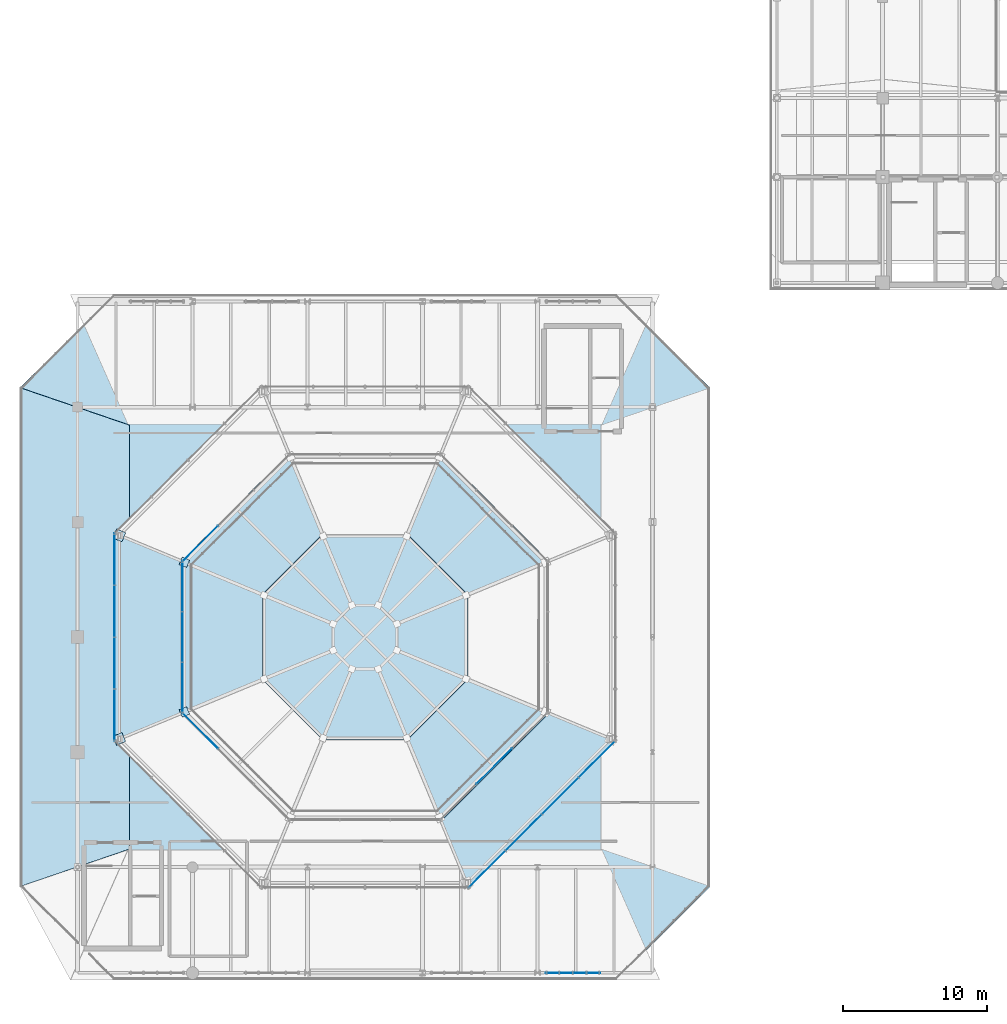
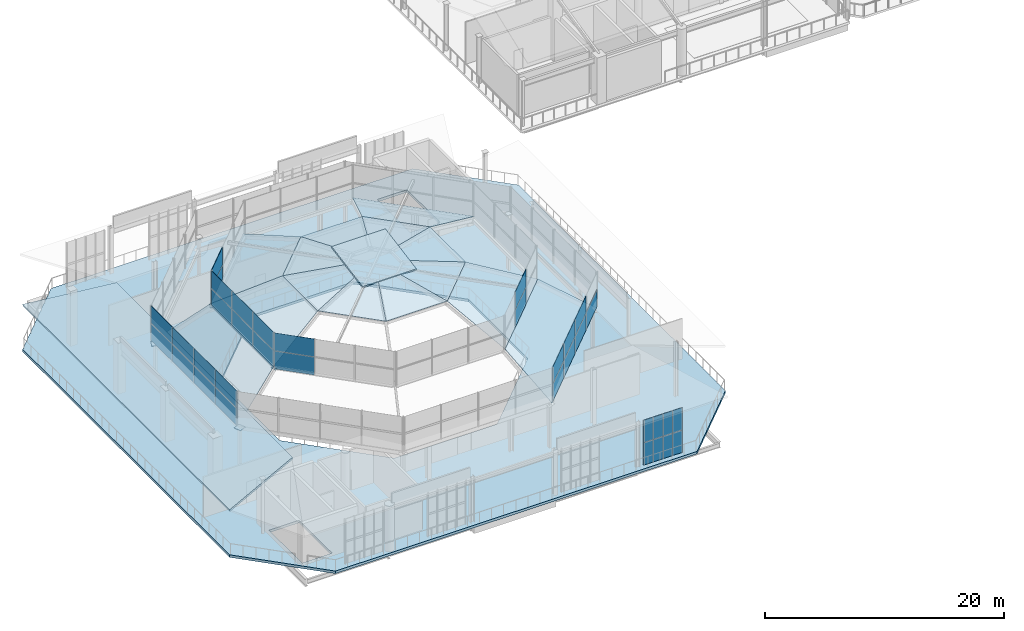
# One storey, part 20 of 30: 53 plates, 3 slabs, 7 elements without a shape of their own.
"""IFC4 building model written with IfcOpenShell, lengths in metres."""

from ifc_helpers import new_model, si_unit, direction, frame, origin, origin_2d, place, context, subcontext, project, spatial, polyline, rectangle, outline, extrude, material, layer, layer_set, type_object, element, aggregate, save


model = new_model("IFC4")

# Units and contexts
model_context = context("Model", 3, precision=1e-05, world=origin(), true_north=direction((0.0, 1.0)))
body_context = subcontext(model_context, "Body", "Model", "MODEL_VIEW")
ifc_project = project(units=[si_unit("LENGTHUNIT", "METRE"), si_unit("AREAUNIT", "SQUARE_METRE"), si_unit("VOLUMEUNIT", "CUBIC_METRE"), si_unit("PLANEANGLEUNIT", "RADIAN"), si_unit("MASSUNIT", "GRAM", prefix="KILO")], contexts=[model_context])

# Site, building, storey
site_placement = place(None, origin())
site = spatial("IfcSite", under=ifc_project, at=site_placement, CompositionType="ELEMENT")
building_placement = place(site_placement, origin())
building = spatial("IfcBuilding", under=site, at=building_placement, Name="Brisemont Oceanarium", CompositionType="ELEMENT")
storey_placement = place(building_placement, frame((0.0, 0.0, 19.800048828125)))
storey = spatial("IfcBuildingStorey", under=building, at=storey_placement, Name="L04", CompositionType="ELEMENT", Elevation=19.800048828125)

# Curtain wall, plates
ifc_material_1 = material(Name="Anodized Extruded Aluminum 6063-T6", Category="aluminium")
curtain_wall_type_1 = type_object("IfcCurtainWallType", Name="CW-CLR-48X34", PredefinedType="NOTDEFINED", material=ifc_material_1)
curtain_wall_1_placement = place(storey_placement, origin())
curtain_wall_1 = element("IfcCurtainWall", 1, at=curtain_wall_1_placement, inside=storey, type_object=curtain_wall_type_1, Name="CW-22 curtain wall CW-DOME-UP-3", PredefinedType="NOTDEFINED")
ifc_material_2 = material(Name="Ceramic-Fritted Spandrel Glass", Category="glass")
ifc_layer_1 = layer(ifc_material_2, 0.030029296875)
ifc_layer_set_1 = layer_set([ifc_layer_1], Name="Ceramic-Fritted Spandrel Glass")
plate_type_1 = type_object("IfcPlateType", Name="PLT-CWP-S4", PredefinedType="CURTAIN_PANEL", material=ifc_layer_set_1)
plate_1_placement = place(storey_placement, frame((72.536865234375, 62.502197265625, 7.75146484375), z_axis=(0.0, 0.0, 1.0), x_axis=(-0.707106781187, -0.707106781187, 0.0)))
plate_1 = element("IfcPlate", 2, at=plate_1_placement, type_object=plate_type_1, Name="CW-DOME-UP-3 panel 3.1", PredefinedType="CURTAIN_PANEL", context=body_context, shape_type="SweptSolid", body=[
    extrude(rectangle(XDim=3.5048828125, YDim=0.030029296875, at=origin_2d()), origin(), (0.0, 0.0, 1.0), 1.846923828125),
])
plate_2_placement = place(storey_placement, frame((72.536865234375, 62.502197265625, 9.6015625), z_axis=(0.0, 0.0, 1.0), x_axis=(-0.707106781187, -0.707106781187, 0.0)))
plate_2 = element("IfcPlate", 3, at=plate_2_placement, type_object=plate_type_1, Name="CW-DOME-UP-3 panel 3.2", PredefinedType="CURTAIN_PANEL", context=body_context, shape_type="SweptSolid", body=[
    extrude(rectangle(XDim=3.5048828125, YDim=0.030029296875, at=origin_2d()), origin(), (0.0, 0.0, 1.0), 1.846923828125),
])
aggregate(curtain_wall_1, [plate_1, plate_2])

curtain_wall_2_placement = place(storey_placement, origin())
curtain_wall_2 = element("IfcCurtainWall", 4, at=curtain_wall_2_placement, inside=storey, type_object=curtain_wall_type_1, Name="CW-22 curtain wall CW-DOME-UP-4", PredefinedType="NOTDEFINED")
plate_3_placement = place(storey_placement, frame((71.296630859375, 59.5078125, 7.75146484375), z_axis=(0.0, 0.0, 1.0), x_axis=(0.0, -1.0, 0.0)))
plate_3 = element("IfcPlate", 5, at=plate_3_placement, type_object=plate_type_1, Name="CW-DOME-UP-4 panel 1.1", PredefinedType="CURTAIN_PANEL", context=body_context, shape_type="SweptSolid", body=[
    extrude(rectangle(XDim=3.5048828125, YDim=0.030029296875, at=origin_2d()), origin(), (0.0, 0.0, 1.0), 1.846923828125),
])
plate_4_placement = place(storey_placement, frame((71.296630859375, 59.5078125, 9.6015625), z_axis=(0.0, 0.0, 1.0), x_axis=(0.0, -1.0, 0.0)))
plate_4 = element("IfcPlate", 6, at=plate_4_placement, type_object=plate_type_1, Name="CW-DOME-UP-4 panel 1.2", PredefinedType="CURTAIN_PANEL", context=body_context, shape_type="SweptSolid", body=[
    extrude(rectangle(XDim=3.5048828125, YDim=0.030029296875, at=origin_2d()), origin(), (0.0, 0.0, 1.0), 1.846923828125),
])
plate_5_placement = place(storey_placement, frame((71.296630859375, 56.0, 7.75146484375), z_axis=(0.0, 0.0, 1.0), x_axis=(0.0, -1.0, 0.0)))
plate_5 = element("IfcPlate", 7, at=plate_5_placement, type_object=plate_type_1, Name="CW-DOME-UP-4 panel 2.1", PredefinedType="CURTAIN_PANEL", context=body_context, shape_type="SweptSolid", body=[
    extrude(rectangle(XDim=3.5048828125, YDim=0.030029296875, at=origin_2d()), origin(), (0.0, 0.0, 1.0), 1.846923828125),
])
plate_6_placement = place(storey_placement, frame((71.296630859375, 56.0, 9.6015625), z_axis=(0.0, 0.0, 1.0), x_axis=(0.0, -1.0, 0.0)))
plate_6 = element("IfcPlate", 8, at=plate_6_placement, type_object=plate_type_1, Name="CW-DOME-UP-4 panel 2.2", PredefinedType="CURTAIN_PANEL", context=body_context, shape_type="SweptSolid", body=[
    extrude(rectangle(XDim=3.5048828125, YDim=0.030029296875, at=origin_2d()), origin(), (0.0, 0.0, 1.0), 1.846923828125),
])
plate_7_placement = place(storey_placement, frame((71.296630859375, 52.4921875, 7.75146484375), z_axis=(0.0, 0.0, 1.0), x_axis=(0.0, -1.0, 0.0)))
plate_7 = element("IfcPlate", 9, at=plate_7_placement, type_object=plate_type_1, Name="CW-DOME-UP-4 panel 3.1", PredefinedType="CURTAIN_PANEL", context=body_context, shape_type="SweptSolid", body=[
    extrude(rectangle(XDim=3.5048828125, YDim=0.030029296875, at=origin_2d()), origin(), (0.0, 0.0, 1.0), 1.846923828125),
])
plate_8_placement = place(storey_placement, frame((71.296630859375, 52.4921875, 9.6015625), z_axis=(0.0, 0.0, 1.0), x_axis=(0.0, -1.0, 0.0)))
plate_8 = element("IfcPlate", 10, at=plate_8_placement, type_object=plate_type_1, Name="CW-DOME-UP-4 panel 3.2", PredefinedType="CURTAIN_PANEL", context=body_context, shape_type="SweptSolid", body=[
    extrude(rectangle(XDim=3.5048828125, YDim=0.030029296875, at=origin_2d()), origin(), (0.0, 0.0, 1.0), 1.846923828125),
])
aggregate(curtain_wall_2, [plate_3, plate_4, plate_5, plate_6, plate_7, plate_8])

curtain_wall_3_placement = place(storey_placement, origin())
curtain_wall_3 = element("IfcCurtainWall", 11, at=curtain_wall_3_placement, inside=storey, type_object=curtain_wall_type_1, Name="CW-22 curtain wall CW-DOME-UP-5", PredefinedType="NOTDEFINED")
plate_9_placement = place(storey_placement, frame((72.536865234375, 49.497802734375, 7.75146484375), z_axis=(0.0, 0.0, 1.0), x_axis=(0.707106781187, -0.707106781187, 0.0)))
plate_9 = element("IfcPlate", 12, at=plate_9_placement, type_object=plate_type_1, Name="CW-DOME-UP-5 panel 1.1", PredefinedType="CURTAIN_PANEL", context=body_context, shape_type="SweptSolid", body=[
    extrude(rectangle(XDim=3.5048828125, YDim=0.030029296875, at=origin_2d()), origin(), (0.0, 0.0, 1.0), 1.846923828125),
])
plate_10_placement = place(storey_placement, frame((72.536865234375, 49.497802734375, 9.6015625), z_axis=(0.0, 0.0, 1.0), x_axis=(0.707106781187, -0.707106781187, 0.0)))
plate_10 = element("IfcPlate", 13, at=plate_10_placement, type_object=plate_type_1, Name="CW-DOME-UP-5 panel 1.2", PredefinedType="CURTAIN_PANEL", context=body_context, shape_type="SweptSolid", body=[
    extrude(rectangle(XDim=3.5048828125, YDim=0.030029296875, at=origin_2d()), origin(), (0.0, 0.0, 1.0), 1.846923828125),
])
aggregate(curtain_wall_3, [plate_9, plate_10])

curtain_wall_4_placement = place(storey_placement, origin())
curtain_wall_4 = element("IfcCurtainWall", 14, at=curtain_wall_4_placement, inside=storey, type_object=curtain_wall_type_1, Name="CW-22 curtain wall CW-DOME-UP-7", PredefinedType="NOTDEFINED")
plate_11_placement = place(storey_placement, frame((92.982666015625, 47.017333984375, 7.75146484375), z_axis=(0.0, 0.0, 1.0), x_axis=(0.707106781187, 0.707106781187, 0.0)))
plate_11 = element("IfcPlate", 15, at=plate_11_placement, type_object=plate_type_1, Name="CW-DOME-UP-7 panel 2.1", PredefinedType="CURTAIN_PANEL", context=body_context, shape_type="SweptSolid", body=[
    extrude(rectangle(XDim=3.5048828125, YDim=0.030029296875, at=origin_2d()), origin(), (0.0, 0.0, 1.0), 1.846923828125),
])
plate_12_placement = place(storey_placement, frame((92.982666015625, 47.017333984375, 9.6015625), z_axis=(0.0, 0.0, 1.0), x_axis=(0.707106781187, 0.707106781187, 0.0)))
plate_12 = element("IfcPlate", 16, at=plate_12_placement, type_object=plate_type_1, Name="CW-DOME-UP-7 panel 2.2", PredefinedType="CURTAIN_PANEL", context=body_context, shape_type="SweptSolid", body=[
    extrude(rectangle(XDim=3.5048828125, YDim=0.030029296875, at=origin_2d()), origin(), (0.0, 0.0, 1.0), 1.846923828125),
])
aggregate(curtain_wall_4, [plate_11, plate_12])

ifc_material_3 = material(Name="Anodized Extruded Aluminum 6063-T6", Category="aluminium")
curtain_wall_type_2 = type_object("IfcCurtainWallType", Name="CW-ROT-69X44", PredefinedType="NOTDEFINED", material=ifc_material_3)
curtain_wall_5_placement = place(storey_placement, origin())
curtain_wall_5 = element("IfcCurtainWall", 17, at=curtain_wall_5_placement, inside=storey, type_object=curtain_wall_type_2, Name="CW-03 curtain wall CW-V1-S-L04-04", PredefinedType="NOTDEFINED")
ifc_material_4 = material(Name="Insulated Low-E Laminated Glass", Category="glass")
ifc_layer_2 = layer(ifc_material_4, 0.028076171875)
ifc_layer_set_2 = layer_set([ifc_layer_2], Name="Insulated Low-E Laminated Glass")
plate_type_2 = type_object("IfcPlateType", Name="PLT-CWP-V3", PredefinedType="CURTAIN_PANEL", material=ifc_layer_set_2)
plate_13_placement = place(storey_placement, frame((97.05126953125, 32.64990234375, 0.00146484375), z_axis=(0.0, 0.0, 1.0), x_axis=(1.0, 0.0, 0.0)))
plate_13 = element("IfcPlate", 18, at=plate_13_placement, type_object=plate_type_2, Name="CW-V1-S-L04-04 panel 1.1", PredefinedType="CURTAIN_PANEL", context=body_context, shape_type="SweptSolid", body=[
    extrude(rectangle(XDim=0.939453125, YDim=0.028076171875, at=origin_2d()), origin(), (0.0, 0.0, 1.0), 2.297119140625),
])
plate_14_placement = place(storey_placement, frame((97.05126953125, 32.64990234375, 2.30126953125), z_axis=(0.0, 0.0, 1.0), x_axis=(1.0, 0.0, 0.0)))
plate_14 = element("IfcPlate", 19, at=plate_14_placement, type_object=plate_type_2, Name="CW-V1-S-L04-04 panel 1.2", PredefinedType="CURTAIN_PANEL", context=body_context, shape_type="SweptSolid", body=[
    extrude(rectangle(XDim=0.939453125, YDim=0.028076171875, at=origin_2d()), origin(), (0.0, 0.0, 1.0), 2.297119140625),
])
plate_15_placement = place(storey_placement, frame((97.99365234375, 32.64990234375, 0.00146484375), z_axis=(0.0, 0.0, 1.0), x_axis=(1.0, 0.0, 0.0)))
plate_15 = element("IfcPlate", 20, at=plate_15_placement, type_object=plate_type_2, Name="CW-V1-S-L04-04 panel 2.1", PredefinedType="CURTAIN_PANEL", context=body_context, shape_type="SweptSolid", body=[
    extrude(rectangle(XDim=0.939453125, YDim=0.028076171875, at=origin_2d()), origin(), (0.0, 0.0, 1.0), 2.297119140625),
])
plate_16_placement = place(storey_placement, frame((97.99365234375, 32.64990234375, 2.30126953125), z_axis=(0.0, 0.0, 1.0), x_axis=(1.0, 0.0, 0.0)))
plate_16 = element("IfcPlate", 21, at=plate_16_placement, type_object=plate_type_2, Name="CW-V1-S-L04-04 panel 2.2", PredefinedType="CURTAIN_PANEL", context=body_context, shape_type="SweptSolid", body=[
    extrude(rectangle(XDim=0.939453125, YDim=0.028076171875, at=origin_2d()), origin(), (0.0, 0.0, 1.0), 2.297119140625),
])
plate_17_placement = place(storey_placement, frame((98.936279296875, 32.64990234375, 0.00146484375), z_axis=(0.0, 0.0, 1.0), x_axis=(1.0, 0.0, 0.0)))
plate_17 = element("IfcPlate", 22, at=plate_17_placement, type_object=plate_type_2, Name="CW-V1-S-L04-04 panel 3.1", PredefinedType="CURTAIN_PANEL", context=body_context, shape_type="SweptSolid", body=[
    extrude(rectangle(XDim=0.939453125, YDim=0.028076171875, at=origin_2d()), origin(), (0.0, 0.0, 1.0), 2.297119140625),
])
plate_18_placement = place(storey_placement, frame((98.936279296875, 32.64990234375, 2.30126953125), z_axis=(0.0, 0.0, 1.0), x_axis=(1.0, 0.0, 0.0)))
plate_18 = element("IfcPlate", 23, at=plate_18_placement, type_object=plate_type_2, Name="CW-V1-S-L04-04 panel 3.2", PredefinedType="CURTAIN_PANEL", context=body_context, shape_type="SweptSolid", body=[
    extrude(rectangle(XDim=0.939453125, YDim=0.028076171875, at=origin_2d()), origin(), (0.0, 0.0, 1.0), 2.297119140625),
])
plate_19_placement = place(storey_placement, frame((99.878662109375, 32.64990234375, 0.00146484375), z_axis=(0.0, 0.0, 1.0), x_axis=(1.0, 0.0, 0.0)))
plate_19 = element("IfcPlate", 24, at=plate_19_placement, type_object=plate_type_2, Name="CW-V1-S-L04-04 panel 4.1", PredefinedType="CURTAIN_PANEL", context=body_context, shape_type="SweptSolid", body=[
    extrude(rectangle(XDim=0.939453125, YDim=0.028076171875, at=origin_2d()), origin(), (0.0, 0.0, 1.0), 2.297119140625),
])
plate_20_placement = place(storey_placement, frame((99.878662109375, 32.64990234375, 2.30126953125), z_axis=(0.0, 0.0, 1.0), x_axis=(1.0, 0.0, 0.0)))
plate_20 = element("IfcPlate", 25, at=plate_20_placement, type_object=plate_type_2, Name="CW-V1-S-L04-04 panel 4.2", PredefinedType="CURTAIN_PANEL", context=body_context, shape_type="SweptSolid", body=[
    extrude(rectangle(XDim=0.939453125, YDim=0.028076171875, at=origin_2d()), origin(), (0.0, 0.0, 1.0), 2.297119140625),
])
aggregate(curtain_wall_5, [plate_13, plate_14, plate_15, plate_16, plate_17, plate_18, plate_19, plate_20])

curtain_wall_6_placement = place(storey_placement, origin())
curtain_wall_6 = element("IfcCurtainWall", 26, at=curtain_wall_6_placement, inside=storey, type_object=curtain_wall_type_2, Name="CW-03 curtain wall CW-DOME-DRUM-4", PredefinedType="NOTDEFINED")
plate_21_placement = place(storey_placement, frame((66.5849609375, 61.41015625, 4.78125), z_axis=(0.0, 0.0, 1.0), x_axis=(0.0, -1.0, 0.0)))
plate_21 = element("IfcPlate", 27, at=plate_21_placement, type_object=plate_type_2, Name="CW-DOME-DRUM-4 panel 1.1", PredefinedType="CURTAIN_PANEL", context=body_context, shape_type="SweptSolid", body=[
    extrude(rectangle(XDim=3.603759765625, YDim=0.028076171875, at=origin_2d()), origin(), (0.0, 0.0, 1.0), 1.757080078125),
])
plate_22_placement = place(storey_placement, frame((66.5849609375, 61.41015625, 6.54150390625), z_axis=(0.0, 0.0, 1.0), x_axis=(0.0, -1.0, 0.0)))
plate_22 = element("IfcPlate", 28, at=plate_22_placement, type_object=plate_type_2, Name="CW-DOME-DRUM-4 panel 1.2", PredefinedType="CURTAIN_PANEL", context=body_context, shape_type="SweptSolid", body=[
    extrude(rectangle(XDim=3.603759765625, YDim=0.028076171875, at=origin_2d()), origin(), (0.0, 0.0, 1.0), 1.757080078125),
])
plate_23_placement = place(storey_placement, frame((66.5849609375, 57.803466796875, 4.78125), z_axis=(0.0, 0.0, 1.0), x_axis=(0.0, -1.0, 0.0)))
plate_23 = element("IfcPlate", 29, at=plate_23_placement, type_object=plate_type_2, Name="CW-DOME-DRUM-4 panel 2.1", PredefinedType="CURTAIN_PANEL", context=body_context, shape_type="SweptSolid", body=[
    extrude(rectangle(XDim=3.603759765625, YDim=0.028076171875, at=origin_2d()), origin(), (0.0, 0.0, 1.0), 1.757080078125),
])
plate_24_placement = place(storey_placement, frame((66.5849609375, 57.803466796875, 6.54150390625), z_axis=(0.0, 0.0, 1.0), x_axis=(0.0, -1.0, 0.0)))
plate_24 = element("IfcPlate", 30, at=plate_24_placement, type_object=plate_type_2, Name="CW-DOME-DRUM-4 panel 2.2", PredefinedType="CURTAIN_PANEL", context=body_context, shape_type="SweptSolid", body=[
    extrude(rectangle(XDim=3.603759765625, YDim=0.028076171875, at=origin_2d()), origin(), (0.0, 0.0, 1.0), 1.757080078125),
])
plate_25_placement = place(storey_placement, frame((66.5849609375, 54.196533203125, 4.78125), z_axis=(0.0, 0.0, 1.0), x_axis=(0.0, -1.0, 0.0)))
plate_25 = element("IfcPlate", 31, at=plate_25_placement, type_object=plate_type_2, Name="CW-DOME-DRUM-4 panel 3.1", PredefinedType="CURTAIN_PANEL", context=body_context, shape_type="SweptSolid", body=[
    extrude(rectangle(XDim=3.603759765625, YDim=0.028076171875, at=origin_2d()), origin(), (0.0, 0.0, 1.0), 1.757080078125),
])
plate_26_placement = place(storey_placement, frame((66.5849609375, 54.196533203125, 6.54150390625), z_axis=(0.0, 0.0, 1.0), x_axis=(0.0, -1.0, 0.0)))
plate_26 = element("IfcPlate", 32, at=plate_26_placement, type_object=plate_type_2, Name="CW-DOME-DRUM-4 panel 3.2", PredefinedType="CURTAIN_PANEL", context=body_context, shape_type="SweptSolid", body=[
    extrude(rectangle(XDim=3.603759765625, YDim=0.028076171875, at=origin_2d()), origin(), (0.0, 0.0, 1.0), 1.757080078125),
])
plate_27_placement = place(storey_placement, frame((66.5849609375, 50.58984375, 4.78125), z_axis=(0.0, 0.0, 1.0), x_axis=(0.0, -1.0, 0.0)))
plate_27 = element("IfcPlate", 33, at=plate_27_placement, type_object=plate_type_2, Name="CW-DOME-DRUM-4 panel 4.1", PredefinedType="CURTAIN_PANEL", context=body_context, shape_type="SweptSolid", body=[
    extrude(rectangle(XDim=3.603759765625, YDim=0.028076171875, at=origin_2d()), origin(), (0.0, 0.0, 1.0), 1.757080078125),
])
plate_28_placement = place(storey_placement, frame((66.5849609375, 50.58984375, 6.54150390625), z_axis=(0.0, 0.0, 1.0), x_axis=(0.0, -1.0, 0.0)))
plate_28 = element("IfcPlate", 34, at=plate_28_placement, type_object=plate_type_2, Name="CW-DOME-DRUM-4 panel 4.2", PredefinedType="CURTAIN_PANEL", context=body_context, shape_type="SweptSolid", body=[
    extrude(rectangle(XDim=3.603759765625, YDim=0.028076171875, at=origin_2d()), origin(), (0.0, 0.0, 1.0), 1.757080078125),
])
aggregate(curtain_wall_6, [plate_21, plate_22, plate_23, plate_24, plate_25, plate_26, plate_27, plate_28])

curtain_wall_7_placement = place(storey_placement, origin())
curtain_wall_7 = element("IfcCurtainWall", 35, at=curtain_wall_7_placement, inside=storey, type_object=curtain_wall_type_2, Name="CW-03 curtain wall CW-DOME-DRUM-7", PredefinedType="NOTDEFINED")
plate_29_placement = place(storey_placement, frame((92.48876953125, 39.860107421875, 4.78125), z_axis=(0.0, 0.0, 1.0), x_axis=(0.707106781187, 0.707106781187, 0.0)))
plate_29 = element("IfcPlate", 36, at=plate_29_placement, type_object=plate_type_2, Name="CW-DOME-DRUM-7 panel 1.1", PredefinedType="CURTAIN_PANEL", context=body_context, shape_type="SweptSolid", body=[
    extrude(rectangle(XDim=3.603759765625, YDim=0.028076171875, at=origin_2d()), origin(), (0.0, 0.0, 1.0), 1.757080078125),
])
plate_30_placement = place(storey_placement, frame((92.48876953125, 39.860107421875, 6.54150390625), z_axis=(0.0, 0.0, 1.0), x_axis=(0.707106781187, 0.707106781187, 0.0)))
plate_30 = element("IfcPlate", 37, at=plate_30_placement, type_object=plate_type_2, Name="CW-DOME-DRUM-7 panel 1.2", PredefinedType="CURTAIN_PANEL", context=body_context, shape_type="SweptSolid", body=[
    extrude(rectangle(XDim=3.603759765625, YDim=0.028076171875, at=origin_2d()), origin(), (0.0, 0.0, 1.0), 1.757080078125),
])
plate_31_placement = place(storey_placement, frame((95.039306640625, 42.410400390625, 4.78125), z_axis=(0.0, 0.0, 1.0), x_axis=(0.707106781187, 0.707106781187, 0.0)))
plate_31 = element("IfcPlate", 38, at=plate_31_placement, type_object=plate_type_2, Name="CW-DOME-DRUM-7 panel 2.1", PredefinedType="CURTAIN_PANEL", context=body_context, shape_type="SweptSolid", body=[
    extrude(rectangle(XDim=3.603759765625, YDim=0.028076171875, at=origin_2d()), origin(), (0.0, 0.0, 1.0), 1.757080078125),
])
plate_32_placement = place(storey_placement, frame((95.039306640625, 42.410400390625, 6.54150390625), z_axis=(0.0, 0.0, 1.0), x_axis=(0.707106781187, 0.707106781187, 0.0)))
plate_32 = element("IfcPlate", 39, at=plate_32_placement, type_object=plate_type_2, Name="CW-DOME-DRUM-7 panel 2.2", PredefinedType="CURTAIN_PANEL", context=body_context, shape_type="SweptSolid", body=[
    extrude(rectangle(XDim=3.603759765625, YDim=0.028076171875, at=origin_2d()), origin(), (0.0, 0.0, 1.0), 1.757080078125),
])
plate_33_placement = place(storey_placement, frame((97.589599609375, 44.960693359375, 4.78125), z_axis=(0.0, 0.0, 1.0), x_axis=(0.707106781187, 0.707106781187, 0.0)))
plate_33 = element("IfcPlate", 40, at=plate_33_placement, type_object=plate_type_2, Name="CW-DOME-DRUM-7 panel 3.1", PredefinedType="CURTAIN_PANEL", context=body_context, shape_type="SweptSolid", body=[
    extrude(rectangle(XDim=3.603759765625, YDim=0.028076171875, at=origin_2d()), origin(), (0.0, 0.0, 1.0), 1.757080078125),
])
plate_34_placement = place(storey_placement, frame((97.589599609375, 44.960693359375, 6.54150390625), z_axis=(0.0, 0.0, 1.0), x_axis=(0.707106781187, 0.707106781187, 0.0)))
plate_34 = element("IfcPlate", 41, at=plate_34_placement, type_object=plate_type_2, Name="CW-DOME-DRUM-7 panel 3.2", PredefinedType="CURTAIN_PANEL", context=body_context, shape_type="SweptSolid", body=[
    extrude(rectangle(XDim=3.603759765625, YDim=0.028076171875, at=origin_2d()), origin(), (0.0, 0.0, 1.0), 1.757080078125),
])
plate_35_placement = place(storey_placement, frame((100.139892578125, 47.51123046875, 4.78125), z_axis=(0.0, 0.0, 1.0), x_axis=(0.707106781187, 0.707106781187, 0.0)))
plate_35 = element("IfcPlate", 42, at=plate_35_placement, type_object=plate_type_2, Name="CW-DOME-DRUM-7 panel 4.1", PredefinedType="CURTAIN_PANEL", context=body_context, shape_type="SweptSolid", body=[
    extrude(rectangle(XDim=3.603759765625, YDim=0.028076171875, at=origin_2d()), origin(), (0.0, 0.0, 1.0), 1.757080078125),
])
aggregate(curtain_wall_7, [plate_29, plate_30, plate_31, plate_32, plate_33, plate_34, plate_35])

# Plates
ifc_material_5 = material(Name="Insulated Low-E Laminated Glass", Category="glass")
ifc_layer_3 = layer(ifc_material_5, 0.035888671875)
ifc_layer_set_3 = layer_set([ifc_layer_3], Name="Insulated Low-E Laminated Glass")
plate_type_3 = type_object("IfcPlateType", Name="PLT-DOME-GL1", PredefinedType="USERDEFINED", material=ifc_layer_set_3)
plate_36_placement = place(storey_placement, frame((66.6005859375, 63.20703125, 4.619873046875), z_axis=(-0.595962864768, 0.0, 0.803011994815), x_axis=(0.0, -1.0, 0.0)))
element("IfcPlate", 43, at=plate_36_placement, inside=storey, type_object=plate_type_3, Name="V1 dome laminated skylight facet 1.4", ObjectType="SKYLIGHT_PANEL", PredefinedType="USERDEFINED", context=body_context, shape_type="SweptSolid", body=[
    extrude(outline(polyline([(0.0, 0.0), (14.4140625, 0.0), (12.505126953125, 5.738891158855395), (1.908935546875, 5.738891158855395), (0.0, 0.0)])), origin(), (0.0, 0.0, -1.0), 0.035888671875),
])
plate_37_placement = place(storey_placement, frame((91.20703125, 38.6005859375, 4.619873046875), z_axis=(0.421406280375, -0.421406280375, 0.803015251239), x_axis=(0.707106781187, 0.707106781187, 0.0)))
element("IfcPlate", 44, at=plate_37_placement, inside=storey, type_object=plate_type_3, Name="V1 dome laminated skylight facet 1.7", ObjectType="SKYLIGHT_PANEL", PredefinedType="USERDEFINED", context=body_context, shape_type="SweptSolid", body=[
    extrude(outline(polyline([(0.0, 0.0), (14.414206006335931, 0.0), (12.505397490813555, 5.738933411913823), (1.9088085155223768, 5.738933411913824), (0.0, 0.0)])), origin(), (0.0, 0.0, -1.0), 0.035888671875),
])
ifc_material_6 = material(Name="Insulated Low-E Laminated Glass", Category="glass")
ifc_layer_4 = layer(ifc_material_6, 0.033935546875)
ifc_layer_set_4 = layer_set([ifc_layer_4], Name="Insulated Low-E Laminated Glass")
plate_type_4 = type_object("IfcPlateType", Name="PLT-DOME-GL2", PredefinedType="USERDEFINED", material=ifc_layer_set_4)
for number, where, z_axis, x_axis, name in (
    (45, (96.791015625, 61.298095703125, 8.0400390625), (0.266867502107, 0.266867502107, 0.926047230242), (-0.707106781187, 0.707106781187, 0.0), "V1 dome laminated skylight facet 2.1"),
    (46, (78.701904296875, 68.791015625, 8.0400390625), (-0.266867502107, 0.266867502107, 0.926047230242), (-0.707106781187, -0.707106781187, 0.0), "V1 dome laminated skylight facet 2.3"),
):
    element("IfcPlate", number, at=place(storey_placement, frame(where, z_axis=z_axis, x_axis=x_axis)), inside=storey, type_object=plate_type_4, Name=name, ObjectType="SKYLIGHT_PANEL", PredefinedType="USERDEFINED", context=body_context, shape_type="SweptSolid", body=[
        extrude(outline(polyline([(0.0, 0.0), (10.596588975291178, 0.0), (8.259131500372757, 6.093688729785124), (2.337457474918421, 6.093688729785125), (0.0, 0.0)])), origin(), (0.0, 0.0, -1.0), 0.033935546875),
    ])
plate_38_placement = place(storey_placement, frame((71.208984375, 61.298095703125, 8.0400390625), z_axis=(-0.377406331101, 0.0, 0.926047764019), x_axis=(0.0, -1.0, 0.0)))
element("IfcPlate", 47, at=plate_38_placement, inside=storey, type_object=plate_type_4, Name="V1 dome laminated skylight facet 2.4", ObjectType="SKYLIGHT_PANEL", PredefinedType="USERDEFINED", context=body_context, shape_type="SweptSolid", body=[
    extrude(outline(polyline([(0.0, 0.0), (10.59619140625, 0.0), (8.2587890625, 6.093709877077695), (2.33740234375, 6.093709877077695), (0.0, 0.0)])), origin(), (0.0, 0.0, -1.0), 0.033935546875),
])
plate_39_placement = place(storey_placement, frame((89.298095703125, 43.208984375, 8.0400390625), z_axis=(0.266867502107, -0.266867502107, 0.926047230242), x_axis=(0.707106781187, 0.707106781187, 0.0)))
element("IfcPlate", 48, at=plate_39_placement, inside=storey, type_object=plate_type_4, Name="V1 dome laminated skylight facet 2.7", ObjectType="SKYLIGHT_PANEL", PredefinedType="USERDEFINED", context=body_context, shape_type="SweptSolid", body=[
    extrude(outline(polyline([(0.0, 0.0), (10.596588975291178, 0.0), (8.259131500372757, 6.093688729785124), (2.337457474918421, 6.093688729785125), (0.0, 0.0)])), origin(), (0.0, 0.0, -1.0), 0.033935546875),
])
ifc_material_7 = material(Name="Insulated Low-E Laminated Glass", Category="glass")
ifc_layer_5 = layer(ifc_material_7, 0.031982421875)
ifc_layer_set_5 = layer_set([ifc_layer_5], Name="Insulated Low-E Laminated Glass")
plate_type_5 = type_object("IfcPlateType", Name="PLT-DOME-GL3", PredefinedType="USERDEFINED", material=ifc_layer_set_5)
plate_40_placement = place(storey_placement, frame((91.14794921875, 58.960693359375, 10.33984375), z_axis=(0.093176345399, 0.093176345399, 0.991280150773), x_axis=(-0.707106781187, 0.707106781187, 0.0)))
element("IfcPlate", 49, at=plate_40_placement, inside=storey, type_object=plate_type_5, Name="V1 dome laminated skylight facet 3.1", ObjectType="SKYLIGHT_PANEL", PredefinedType="USERDEFINED", context=body_context, shape_type="SweptSolid", body=[
    extrude(outline(polyline([(0.0, 0.0), (5.921674025454335, 0.0), (3.895820002694536, 4.933902332142351), (2.025854022759799, 4.933902332142352), (0.0, 0.0)])), origin(), (0.0, 0.0, -1.0), 0.031982421875),
])
plate_41_placement = place(storey_placement, frame((86.960693359375, 63.14794921875, 10.33984375), z_axis=(0.0, 0.131771524231, 0.991280114499), x_axis=(-1.0, 0.0, 0.0)))
element("IfcPlate", 50, at=plate_41_placement, inside=storey, type_object=plate_type_5, Name="V1 dome laminated skylight facet 3.2", ObjectType="SKYLIGHT_PANEL", PredefinedType="USERDEFINED", context=body_context, shape_type="SweptSolid", body=[
    extrude(outline(polyline([(0.0, 0.0), (5.92138671875, 0.0), (3.8955078125, 4.933892114939594), (2.02587890625, 4.933892114939594), (0.0, 0.0)])), origin(), (0.0, 0.0, -1.0), 0.031982421875),
])
plate_42_placement = place(storey_placement, frame((81.039306640625, 63.14794921875, 10.33984375), z_axis=(-0.093176345399, 0.093176345399, 0.991280150773), x_axis=(-0.707106781187, -0.707106781187, 0.0)))
element("IfcPlate", 51, at=plate_42_placement, inside=storey, type_object=plate_type_5, Name="V1 dome laminated skylight facet 3.3", ObjectType="SKYLIGHT_PANEL", PredefinedType="USERDEFINED", context=body_context, shape_type="SweptSolid", body=[
    extrude(outline(polyline([(0.0, 0.0), (5.921674025454335, 0.0), (3.895820002694536, 4.933902332142351), (2.025854022759799, 4.933902332142352), (0.0, 0.0)])), origin(), (0.0, 0.0, -1.0), 0.031982421875),
])
plate_43_placement = place(storey_placement, frame((76.85205078125, 58.960693359375, 10.33984375), z_axis=(-0.131771524231, 0.0, 0.991280114499), x_axis=(0.0, -1.0, 0.0)))
element("IfcPlate", 52, at=plate_43_placement, inside=storey, type_object=plate_type_5, Name="V1 dome laminated skylight facet 3.4", ObjectType="SKYLIGHT_PANEL", PredefinedType="USERDEFINED", context=body_context, shape_type="SweptSolid", body=[
    extrude(outline(polyline([(0.0, 0.0), (5.92138671875, 0.0), (3.8955078125, 4.933892114939594), (2.02587890625, 4.933892114939594), (0.0, 0.0)])), origin(), (0.0, 0.0, -1.0), 0.031982421875),
])
plate_44_placement = place(storey_placement, frame((76.85205078125, 53.039306640625, 10.33984375), z_axis=(-0.093176345399, -0.093176345399, 0.991280150773), x_axis=(0.707106781187, -0.707106781187, 0.0)))
element("IfcPlate", 53, at=plate_44_placement, inside=storey, type_object=plate_type_5, Name="V1 dome laminated skylight facet 3.5", ObjectType="SKYLIGHT_PANEL", PredefinedType="USERDEFINED", context=body_context, shape_type="SweptSolid", body=[
    extrude(outline(polyline([(0.0, 0.0), (5.921674025454335, 0.0), (3.895820002694536, 4.933902332142351), (2.025854022759799, 4.933902332142352), (0.0, 0.0)])), origin(), (0.0, 0.0, -1.0), 0.031982421875),
])
plate_45_placement = place(storey_placement, frame((81.039306640625, 48.85205078125, 10.33984375), z_axis=(0.0, -0.131771524231, 0.991280114499), x_axis=(1.0, 0.0, 0.0)))
element("IfcPlate", 54, at=plate_45_placement, inside=storey, type_object=plate_type_5, Name="V1 dome laminated skylight facet 3.6", ObjectType="SKYLIGHT_PANEL", PredefinedType="USERDEFINED", context=body_context, shape_type="SweptSolid", body=[
    extrude(outline(polyline([(0.0, 0.0), (5.92138671875, 0.0), (3.8955078125, 4.933892114939594), (2.02587890625, 4.933892114939594), (0.0, 0.0)])), origin(), (0.0, 0.0, -1.0), 0.031982421875),
])
plate_46_placement = place(storey_placement, frame((86.960693359375, 48.85205078125, 10.33984375), z_axis=(0.093176345399, -0.093176345399, 0.991280150773), x_axis=(0.707106781187, 0.707106781187, 0.0)))
element("IfcPlate", 55, at=plate_46_placement, inside=storey, type_object=plate_type_5, Name="V1 dome laminated skylight facet 3.7", ObjectType="SKYLIGHT_PANEL", PredefinedType="USERDEFINED", context=body_context, shape_type="SweptSolid", body=[
    extrude(outline(polyline([(0.0, 0.0), (5.921674025454335, 0.0), (3.895820002694536, 4.933902332142351), (2.025854022759799, 4.933902332142352), (0.0, 0.0)])), origin(), (0.0, 0.0, -1.0), 0.031982421875),
])
plate_47_placement = place(storey_placement, frame((91.14794921875, 53.039306640625, 10.33984375), z_axis=(0.131771524231, 0.0, 0.991280114499), x_axis=(0.0, 1.0, 0.0)))
element("IfcPlate", 56, at=plate_47_placement, inside=storey, type_object=plate_type_5, Name="V1 dome laminated skylight facet 3.8", ObjectType="SKYLIGHT_PANEL", PredefinedType="USERDEFINED", context=body_context, shape_type="SweptSolid", body=[
    extrude(outline(polyline([(0.0, 0.0), (5.92138671875, 0.0), (3.8955078125, 4.933892114939594), (2.02587890625, 4.933892114939594), (0.0, 0.0)])), origin(), (0.0, 0.0, -1.0), 0.031982421875),
])
ifc_material_8 = material(Name="Structural Steel ASTM A572 Gr.50", Category="steel")
ifc_layer_6 = layer(ifc_material_8, 0.031982421875)
ifc_layer_set_6 = layer_set([ifc_layer_6], Name="Structural Steel ASTM A572 Gr.50")
plate_type_6 = type_object("IfcPlateType", Name="PLT-NODE-DN1", PredefinedType="SHEET", material=ifc_layer_set_6)
for number, where, z_axis, x_axis, name in (
    (57, (66.908203125, 63.07958984375, 4.36376953125), (0.0, 0.0, 1.0), (-0.923879532511, 0.382683432365, 0.0), "V1 dome structural node plate DN-01"),
    (58, (66.908203125, 48.92041015625, 4.36376953125), (0.0, 0.0, 1.0), (-0.923879532511, -0.382683432365, 0.0), "V1 dome structural node plate DN-01"),
):
    element("IfcPlate", number, at=place(storey_placement, frame(where, z_axis=z_axis, x_axis=x_axis)), inside=storey, type_object=plate_type_6, Name=name, PredefinedType="SHEET", context=body_context, shape_type="SweptSolid", body=[
        extrude(rectangle(XDim=0.679931640625, YDim=0.679931640625, at=origin_2d()), origin(), (0.0, 0.0, 1.0), 0.031982421875),
    ])
ifc_material_9 = material(Name="Structural Steel ASTM A572 Gr.50", Category="steel")
ifc_layer_7 = layer(ifc_material_9, 0.028076171875)
ifc_layer_set_7 = layer_set([ifc_layer_7], Name="Structural Steel ASTM A572 Gr.50")
plate_type_7 = type_object("IfcPlateType", Name="PLT-NODE-DN2", PredefinedType="SHEET", material=ifc_layer_set_7)
for number, where, z_axis, x_axis, name in (
    (59, (71.435302734375, 61.20458984375, 7.7861328125), (0.0, 0.0, 1.0), (-0.923879532511, 0.382683432365, 0.0), "V1 dome structural node plate DN-02"),
    (60, (71.435302734375, 50.79541015625, 7.7861328125), (0.0, 0.0, 1.0), (-0.923879532511, -0.382683432365, 0.0), "V1 dome structural node plate DN-02"),
):
    element("IfcPlate", number, at=place(storey_placement, frame(where, z_axis=z_axis, x_axis=x_axis)), inside=storey, type_object=plate_type_7, Name=name, PredefinedType="SHEET", context=body_context, shape_type="SweptSolid", body=[
        extrude(rectangle(XDim=0.56005859375, YDim=0.56005859375, at=origin_2d()), origin(), (0.0, 0.0, 1.0), 0.028076171875),
    ])

# Slabs
ifc_material_10 = material(Name="Concrete C35/45", Category="concrete")
ifc_layer_8 = layer(ifc_material_10, 0.260009765625)
ifc_layer_set_8 = layer_set([ifc_layer_8], Name="Concrete C35/45")
slab_type_1 = type_object("IfcSlabType", Name="SLB-FLR-260", PredefinedType="FLOOR", material=ifc_layer_set_8)
slab_1_placement = place(storey_placement, frame((0.0, 0.0, -0.260009765625)))
element("IfcSlab", 61, at=slab_1_placement, inside=storey, type_object=slab_type_1, Name="V1 L04 floor slab", PredefinedType="FLOOR", context=body_context, shape_type="SweptSolid", body=[
    extrude(outline(polyline([(66.5, 32.14990234375), (101.5, 32.14990234375), (108.0, 38.64990234375), (108.0, 73.35009765625), (101.5, 79.85009765625), (66.5, 79.85009765625), (60.0, 73.35009765625), (60.0, 38.64990234375), (66.5, 32.14990234375)]), holes=[polyline([(96.010498046875, 60.974853515625), (88.974853515625, 68.010498046875), (79.025146484375, 68.010498046875), (71.989501953125, 60.974853515625), (71.989501953125, 51.025146484375), (79.025146484375, 43.989501953125), (88.974853515625, 43.989501953125), (96.010498046875, 51.025146484375), (96.010498046875, 60.974853515625)]), polyline([(64.669921875, 34.570068359375), (67.570068359375, 34.570068359375), (67.570068359375, 40.110107421875), (64.669921875, 40.110107421875), (64.669921875, 34.570068359375)]), polyline([(96.669921875, 71.889892578125), (99.570068359375, 71.889892578125), (99.570068359375, 77.429931640625), (96.669921875, 77.429931640625), (96.669921875, 71.889892578125)])]), origin(), (0.0, 0.0, 1.0), 0.260009765625),
])
ifc_material_11 = material(Name="Concrete C35/45", Category="concrete")
ifc_layer_9 = layer(ifc_material_11, 0.159912109375)
ifc_layer_set_9 = layer_set([ifc_layer_9], Name="Concrete C35/45")
slab_type_2 = type_object("IfcSlabType", Name="SLB-RF-160", PredefinedType="ROOF", material=ifc_layer_set_9)
slab_2_placement = place(storey_placement, frame((81.39990234375, 53.39990234375, 11.010009765625), z_axis=(0.0, -0.179702280661, 0.983721042941), x_axis=(1.0, 0.0, 0.0)))
element("IfcSlab", 62, at=slab_2_placement, inside=storey, type_object=slab_type_2, Name="V1 dome lantern pitched oculus cap", PredefinedType="ROOF", context=body_context, shape_type="SweptSolid", body=[
    extrude(outline(polyline([(0.0, 0.0), (5.2001953125, 0.0), (5.2001953125, 5.2862499484127365), (0.0, 5.2862499484127365), (0.0, 0.0)])), origin(), (0.0, 0.0, -1.0), 0.159912109375),
])
ifc_material_12 = material(Name="Concrete C35/45", Category="concrete")
ifc_layer_10 = layer(ifc_material_12, 0.199951171875)
ifc_layer_set_10 = layer_set([ifc_layer_10], Name="Concrete C35/45")
slab_type_3 = type_object("IfcSlabType", Name="SLB-RF-200", PredefinedType="ROOF", material=ifc_layer_set_10)
slab_3_placement = place(storey_placement, frame((60.0, 38.64990234375, 4.599853515625), z_axis=(-0.149629433129, 0.0, 0.988742146741), x_axis=(0.936609018372, 0.320426792344, 0.1417399642)))
element("IfcSlab", 63, at=slab_3_placement, inside=storey, type_object=slab_type_3, Name="V1 drum mansard pitched roof W slope", PredefinedType="ROOF", context=body_context, shape_type="SweptSolid", body=[
    extrude(outline(polyline([(0.0, 0.0), (8.114482678648939, -6.522560269672795e-16), (17.56707305279538, 27.94456181833227), (11.118872277692848, 32.870567898927455), (0.0, 0.0)])), origin(), (0.0, 0.0, -1.0), 0.199951171875),
])

save(model, "model.ifc")
